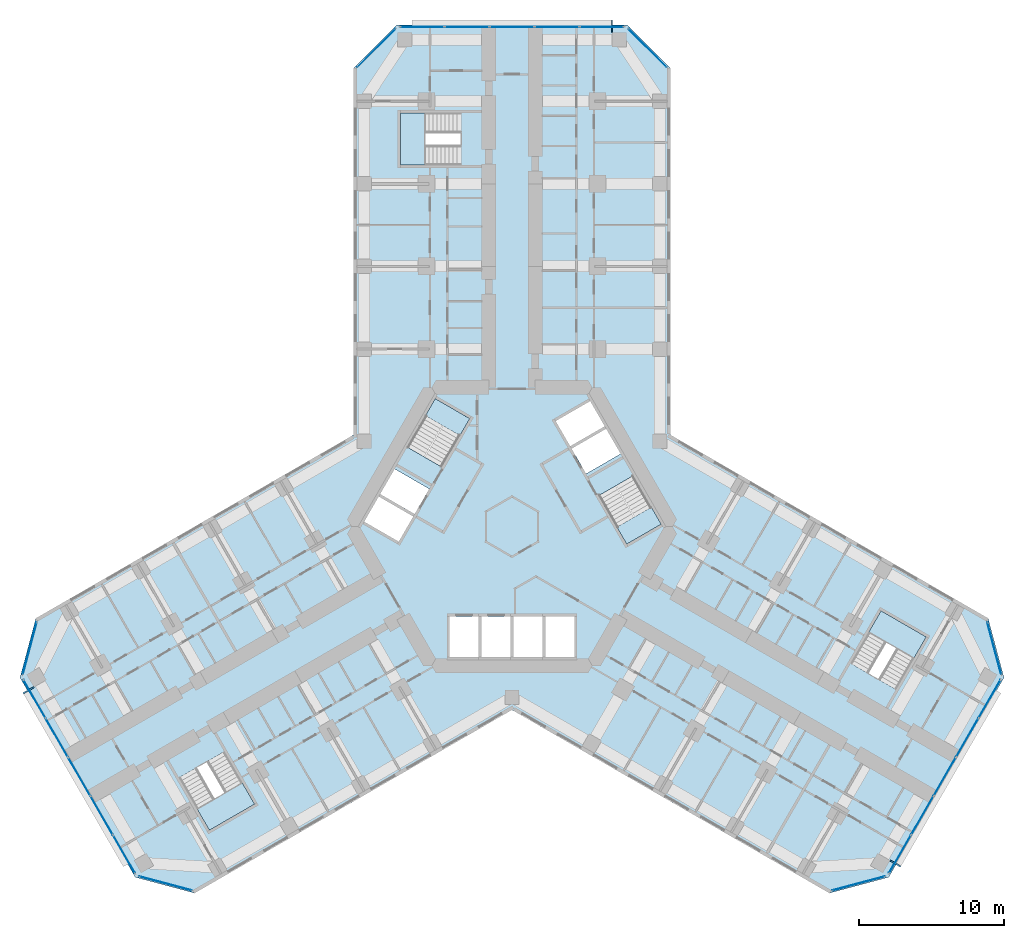
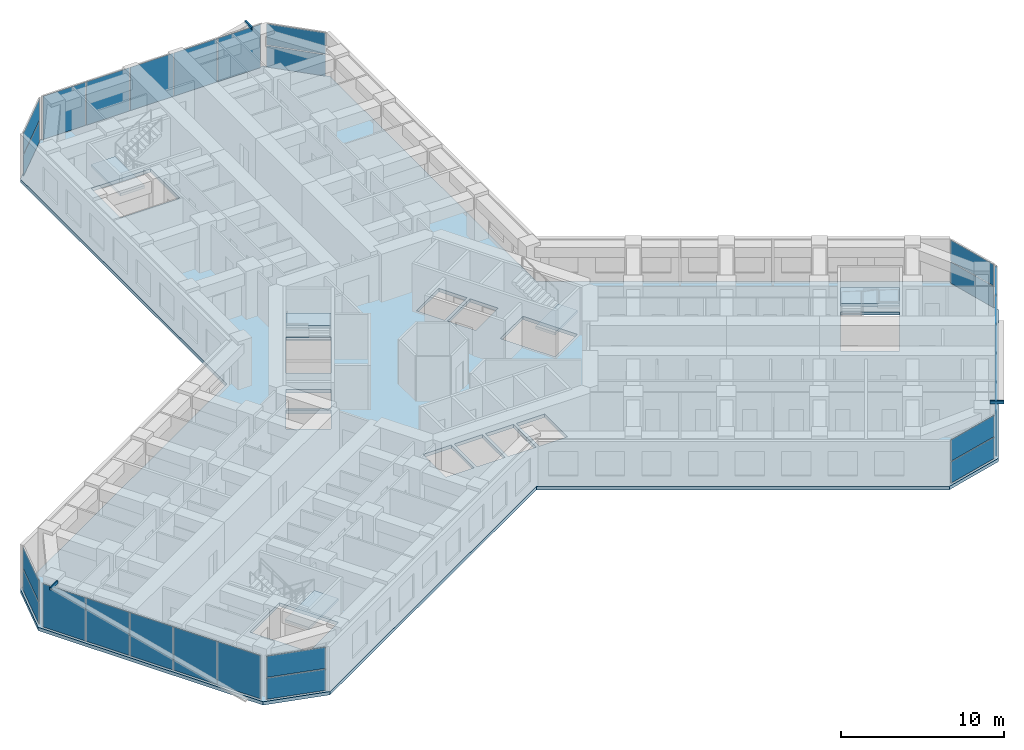
# One storey, part 9 of 21: 27 plates, 6 slabs, 3 members, 14 elements without a shape of their own.
"""IFC4 building model written with IfcOpenShell, lengths in metres."""

from ifc_helpers import new_model, si_unit, direction, frame, origin, origin_2d, place, context, subcontext, project, spatial, polyline, rectangle, hollow_rectangle, outline, extrude, material, layer, layer_set, material_profile, profile_set, type_object, element, aggregate, save


model = new_model("IFC4")

# Units and contexts
model_context = context("Model", 3, precision=1e-05, world=origin(), true_north=direction((0.0, 1.0)))
body_context = subcontext(model_context, "Body", "Model", "MODEL_VIEW")
ifc_project = project(units=[si_unit("LENGTHUNIT", "METRE"), si_unit("AREAUNIT", "SQUARE_METRE"), si_unit("VOLUMEUNIT", "CUBIC_METRE"), si_unit("PLANEANGLEUNIT", "RADIAN"), si_unit("MASSUNIT", "GRAM", prefix="KILO")], contexts=[model_context])

# Site, building, storey
site_placement = place(None, origin())
site = spatial("IfcSite", under=ifc_project, at=site_placement, CompositionType="ELEMENT")
building_placement = place(site_placement, origin())
building = spatial("IfcBuilding", under=site, at=building_placement, Name="Kosmar Iwan School Tower", CompositionType="ELEMENT")
storey_placement = place(building_placement, frame((0.0, 0.0, 64.60009765625)))
storey = spatial("IfcBuildingStorey", under=building, at=storey_placement, Name="L15", CompositionType="ELEMENT", Elevation=64.60009765625)

# Members
ifc_material_1 = material(Name="Steel S355", Category="steel")
ifc_material_profile = material_profile(ifc_material_1, hollow_rectangle(XDim=0.10009765625, YDim=0.199951171875, WallThickness=0.008056640625, at=origin_2d()), Name="RHS 200x100x8")
ifc_profile_set = profile_set([ifc_material_profile], Name="Steel S355")
member_type = type_object("IfcMemberType", Name="Fin bracket RHS 200x100", PredefinedType="USERDEFINED", material=ifc_profile_set)
member_1_placement = place(storey_placement, frame((26.08154296875, -23.025634765625, 3.474853515625), z_axis=(0.865989465428, -0.500062241894, 0.0), x_axis=(0.500062241894, 0.865989465428, 0.0)))
element("IfcMember", 1, at=member_1_placement, inside=storey, type_object=member_type, Name="Fin bracket L16", ObjectType="FIN BRACKET", PredefinedType="USERDEFINED", context=body_context, shape_type="SweptSolid", body=[
    extrude(hollow_rectangle(XDim=0.10009765625, YDim=0.199951171875, WallThickness=0.008056640625, at=origin_2d()), origin(), (0.0, 0.0, 1.0), 0.85009765625),
])
member_2_placement = place(storey_placement, frame((6.89990234375, 34.10009765625, 3.474853515625), z_axis=(0.0, 1.0, 0.0), x_axis=(-1.0, 0.0, 0.0)))
element("IfcMember", 2, at=member_2_placement, inside=storey, type_object=member_type, Name="Fin bracket L16", ObjectType="FIN BRACKET", PredefinedType="USERDEFINED", context=body_context, shape_type="SweptSolid", body=[
    extrude(hollow_rectangle(XDim=0.10009765625, YDim=0.199951171875, WallThickness=0.008056640625, at=origin_2d()), origin(), (0.0, 0.0, 1.0), 0.849853515625),
])
member_3_placement = place(storey_placement, frame((-32.9814453125, -11.074462890625, 3.474853515625), z_axis=(-0.865989465428, -0.500062241894, 0.0), x_axis=(0.500062241894, -0.865989465428, 0.0)))
element("IfcMember", 3, at=member_3_placement, inside=storey, type_object=member_type, Name="Fin bracket L16", ObjectType="FIN BRACKET", PredefinedType="USERDEFINED", context=body_context, shape_type="SweptSolid", body=[
    extrude(hollow_rectangle(XDim=0.10009765625, YDim=0.199951171875, WallThickness=0.008056640625, at=origin_2d()), origin(), (0.0, 0.0, 1.0), 0.85009765625),
])

# Curtain wall, plates
ifc_material_2 = material(Name="Dark glass in black aluminium frame", Category="aluminium")
curtain_wall_type_1 = type_object("IfcCurtainWallType", Name="Chamfer curtain wall dark glass", PredefinedType="USERDEFINED", material=ifc_material_2)
curtain_wall_1_placement = place(storey_placement, origin())
curtain_wall_1 = element("IfcCurtainWall", 4, at=curtain_wall_1_placement, inside=storey, type_object=curtain_wall_type_1, Name="Curtain wall L15-F02", ObjectType="FACETED CURTAIN WALL", PredefinedType="USERDEFINED")
ifc_material_3 = material(Name="Dark glass", Category="glass")
ifc_layer_1 = layer(ifc_material_3, 0.028076171875)
ifc_layer_set_1 = layer_set([ifc_layer_1], Name="Dark glass panel 28")
plate_type = type_object("IfcPlateType", Name="Dark glass panel 28", PredefinedType="CURTAIN_PANEL", material=ifc_layer_set_1)
plate_1_placement = place(storey_placement, frame((23.908203125, -24.61328125, 0.059814453125), z_axis=(0.0, 0.0, 1.0), x_axis=(0.965925875495, 0.258818861462, 0.0)))
plate_1 = element("IfcPlate", 5, at=plate_1_placement, type_object=plate_type, Name="CW2 panel 1.1", PredefinedType="CURTAIN_PANEL", context=body_context, shape_type="SweptSolid", body=[
    extrude(rectangle(XDim=3.718994140625, YDim=0.028076171875, at=origin_2d()), origin(), (0.0, 0.0, 1.0), 1.5849609375),
])
plate_2_placement = place(storey_placement, frame((23.908203125, -24.61328125, 1.704833984375), z_axis=(0.0, 0.0, 1.0), x_axis=(0.965925875495, 0.258818861462, 0.0)))
plate_2 = element("IfcPlate", 6, at=plate_2_placement, type_object=plate_type, Name="CW2 panel 1.2", PredefinedType="CURTAIN_PANEL", context=body_context, shape_type="SweptSolid", body=[
    extrude(rectangle(XDim=3.718994140625, YDim=0.028076171875, at=origin_2d()), origin(), (0.0, 0.0, 1.0), 1.5849609375),
])
aggregate(curtain_wall_1, [plate_1, plate_2])

ifc_material_4 = material(Name="Dark glass in black aluminium frame", Category="aluminium")
curtain_wall_type_2 = type_object("IfcCurtainWallType", Name="Tower curtain wall dark glass", PredefinedType="USERDEFINED", material=ifc_material_4)
curtain_wall_2_placement = place(storey_placement, origin())
curtain_wall_2 = element("IfcCurtainWall", 7, at=curtain_wall_2_placement, inside=storey, type_object=curtain_wall_type_2, Name="Curtain wall L15-F03", ObjectType="UNITISED CURTAIN WALL", PredefinedType="USERDEFINED")
plate_3_placement = place(storey_placement, frame((26.764404296875, -22.592529296875, 0.059814453125), z_axis=(0.0, 0.0, 1.0), x_axis=(0.499999997325, 0.866025405329, 0.0)))
plate_3 = element("IfcPlate", 8, at=plate_3_placement, type_object=plate_type, Name="CW1 panel 1.1", PredefinedType="CURTAIN_PANEL", context=body_context, shape_type="SweptSolid", body=[
    extrude(rectangle(XDim=3.00927734375, YDim=0.028076171875, at=origin_2d()), origin(), (0.0, 0.0, 1.0), 3.22998046875),
])
plate_4_placement = place(storey_placement, frame((28.306640625, -19.921630859375, 0.059814453125), z_axis=(0.0, 0.0, 1.0), x_axis=(0.499999997325, 0.866025405329, 0.0)))
plate_4 = element("IfcPlate", 9, at=plate_4_placement, type_object=plate_type, Name="CW1 panel 2.1", PredefinedType="CURTAIN_PANEL", context=body_context, shape_type="SweptSolid", body=[
    extrude(rectangle(XDim=3.039306640625, YDim=0.028076171875, at=origin_2d()), origin(), (0.0, 0.0, 1.0), 3.22998046875),
])
plate_5_placement = place(storey_placement, frame((29.856201171875, -17.237548828125, 0.059814453125), z_axis=(0.0, 0.0, 1.0), x_axis=(0.499999997325, 0.866025405329, 0.0)))
plate_5 = element("IfcPlate", 10, at=plate_5_placement, type_object=plate_type, Name="CW1 panel 3.1", PredefinedType="CURTAIN_PANEL", context=body_context, shape_type="SweptSolid", body=[
    extrude(rectangle(XDim=3.039306640625, YDim=0.028076171875, at=origin_2d()), origin(), (0.0, 0.0, 1.0), 3.22998046875),
])
plate_6_placement = place(storey_placement, frame((31.40576171875, -14.553466796875, 0.059814453125), z_axis=(0.0, 0.0, 1.0), x_axis=(0.499999997325, 0.866025405329, 0.0)))
plate_6 = element("IfcPlate", 11, at=plate_6_placement, type_object=plate_type, Name="CW1 panel 4.1", PredefinedType="CURTAIN_PANEL", context=body_context, shape_type="SweptSolid", body=[
    extrude(rectangle(XDim=3.039306640625, YDim=0.028076171875, at=origin_2d()), origin(), (0.0, 0.0, 1.0), 3.22998046875),
])
plate_7_placement = place(storey_placement, frame((32.947998046875, -11.88232421875, 0.059814453125), z_axis=(0.0, 0.0, 1.0), x_axis=(0.499999997325, 0.866025405329, 0.0)))
plate_7 = element("IfcPlate", 12, at=plate_7_placement, type_object=plate_type, Name="CW1 panel 5.1", PredefinedType="CURTAIN_PANEL", context=body_context, shape_type="SweptSolid", body=[
    extrude(rectangle(XDim=3.00927734375, YDim=0.028076171875, at=origin_2d()), origin(), (0.0, 0.0, 1.0), 3.22998046875),
])
aggregate(curtain_wall_2, [plate_3, plate_4, plate_5, plate_6, plate_7])

curtain_wall_3_placement = place(storey_placement, origin())
curtain_wall_3 = element("IfcCurtainWall", 13, at=curtain_wall_3_placement, inside=storey, type_object=curtain_wall_type_1, Name="Curtain wall L15-F04", ObjectType="FACETED CURTAIN WALL", PredefinedType="USERDEFINED")
plate_8_placement = place(storey_placement, frame((33.269775390625, -8.3984375, 0.059814453125), z_axis=(0.0, 0.0, 1.0), x_axis=(-0.258818861462, 0.965925875495, 0.0)))
plate_8 = element("IfcPlate", 14, at=plate_8_placement, type_object=plate_type, Name="CW2 panel 1.1", PredefinedType="CURTAIN_PANEL", context=body_context, shape_type="SweptSolid", body=[
    extrude(rectangle(XDim=3.718994140625, YDim=0.028076171875, at=origin_2d()), origin(), (0.0, 0.0, 1.0), 1.5849609375),
])
plate_9_placement = place(storey_placement, frame((33.269775390625, -8.3984375, 1.704833984375), z_axis=(0.0, 0.0, 1.0), x_axis=(-0.258818861462, 0.965925875495, 0.0)))
plate_9 = element("IfcPlate", 15, at=plate_9_placement, type_object=plate_type, Name="CW2 panel 1.2", PredefinedType="CURTAIN_PANEL", context=body_context, shape_type="SweptSolid", body=[
    extrude(rectangle(XDim=3.718994140625, YDim=0.028076171875, at=origin_2d()), origin(), (0.0, 0.0, 1.0), 1.5849609375),
])
aggregate(curtain_wall_3, [plate_8, plate_9])

curtain_wall_4_placement = place(storey_placement, origin())
curtain_wall_4 = element("IfcCurtainWall", 16, at=curtain_wall_4_placement, inside=storey, type_object=curtain_wall_type_1, Name="Curtain wall L15-F07", ObjectType="FACETED CURTAIN WALL", PredefinedType="USERDEFINED")
plate_10_placement = place(storey_placement, frame((9.361572265625, 33.01171875, 0.059814453125), z_axis=(0.0, 0.0, 1.0), x_axis=(-0.707106781187, 0.707106781187, 0.0)))
plate_10 = element("IfcPlate", 17, at=plate_10_placement, type_object=plate_type, Name="CW2 panel 1.1", PredefinedType="CURTAIN_PANEL", context=body_context, shape_type="SweptSolid", body=[
    extrude(rectangle(XDim=3.718994140625, YDim=0.028076171875, at=origin_2d()), origin(), (0.0, 0.0, 1.0), 1.5849609375),
])
plate_11_placement = place(storey_placement, frame((9.361572265625, 33.01171875, 1.704833984375), z_axis=(0.0, 0.0, 1.0), x_axis=(-0.707106781187, 0.707106781187, 0.0)))
plate_11 = element("IfcPlate", 18, at=plate_11_placement, type_object=plate_type, Name="CW2 panel 1.2", PredefinedType="CURTAIN_PANEL", context=body_context, shape_type="SweptSolid", body=[
    extrude(rectangle(XDim=3.718994140625, YDim=0.028076171875, at=origin_2d()), origin(), (0.0, 0.0, 1.0), 1.5849609375),
])
aggregate(curtain_wall_4, [plate_10, plate_11])

curtain_wall_5_placement = place(storey_placement, origin())
curtain_wall_5 = element("IfcCurtainWall", 19, at=curtain_wall_5_placement, inside=storey, type_object=curtain_wall_type_2, Name="Curtain wall L15-F08", ObjectType="UNITISED CURTAIN WALL", PredefinedType="USERDEFINED")
plate_12_placement = place(storey_placement, frame((6.18359375, 34.47509765625, 0.059814453125), z_axis=(0.0, 0.0, 1.0), x_axis=(-1.0, 0.0, 0.0)))
plate_12 = element("IfcPlate", 20, at=plate_12_placement, type_object=plate_type, Name="CW1 panel 1.1", PredefinedType="CURTAIN_PANEL", context=body_context, shape_type="SweptSolid", body=[
    extrude(rectangle(XDim=3.00927734375, YDim=0.028076171875, at=origin_2d()), origin(), (0.0, 0.0, 1.0), 3.22998046875),
])
plate_13_placement = place(storey_placement, frame((3.099365234375, 34.47509765625, 0.059814453125), z_axis=(0.0, 0.0, 1.0), x_axis=(-1.0, 0.0, 0.0)))
plate_13 = element("IfcPlate", 21, at=plate_13_placement, type_object=plate_type, Name="CW1 panel 2.1", PredefinedType="CURTAIN_PANEL", context=body_context, shape_type="SweptSolid", body=[
    extrude(rectangle(XDim=3.039306640625, YDim=0.028076171875, at=origin_2d()), origin(), (0.0, 0.0, 1.0), 3.22998046875),
])
plate_14_placement = place(storey_placement, frame((0.0, 34.47509765625, 0.059814453125), z_axis=(0.0, 0.0, 1.0), x_axis=(-1.0, 0.0, 0.0)))
plate_14 = element("IfcPlate", 22, at=plate_14_placement, type_object=plate_type, Name="CW1 panel 3.1", PredefinedType="CURTAIN_PANEL", context=body_context, shape_type="SweptSolid", body=[
    extrude(rectangle(XDim=3.039306640625, YDim=0.028076171875, at=origin_2d()), origin(), (0.0, 0.0, 1.0), 3.22998046875),
])
plate_15_placement = place(storey_placement, frame((-3.099365234375, 34.47509765625, 0.059814453125), z_axis=(0.0, 0.0, 1.0), x_axis=(-1.0, 0.0, 0.0)))
plate_15 = element("IfcPlate", 23, at=plate_15_placement, type_object=plate_type, Name="CW1 panel 4.1", PredefinedType="CURTAIN_PANEL", context=body_context, shape_type="SweptSolid", body=[
    extrude(rectangle(XDim=3.039306640625, YDim=0.028076171875, at=origin_2d()), origin(), (0.0, 0.0, 1.0), 3.22998046875),
])
plate_16_placement = place(storey_placement, frame((-6.18359375, 34.47509765625, 0.059814453125), z_axis=(0.0, 0.0, 1.0), x_axis=(-1.0, 0.0, 0.0)))
plate_16 = element("IfcPlate", 24, at=plate_16_placement, type_object=plate_type, Name="CW1 panel 5.1", PredefinedType="CURTAIN_PANEL", context=body_context, shape_type="SweptSolid", body=[
    extrude(rectangle(XDim=3.00927734375, YDim=0.028076171875, at=origin_2d()), origin(), (0.0, 0.0, 1.0), 3.22998046875),
])
aggregate(curtain_wall_5, [plate_12, plate_13, plate_14, plate_15, plate_16])

curtain_wall_6_placement = place(storey_placement, origin())
curtain_wall_6 = element("IfcCurtainWall", 25, at=curtain_wall_6_placement, inside=storey, type_object=curtain_wall_type_1, Name="Curtain wall L15-F09", ObjectType="FACETED CURTAIN WALL", PredefinedType="USERDEFINED")
plate_17_placement = place(storey_placement, frame((-9.361572265625, 33.01171875, 0.059814453125), z_axis=(0.0, 0.0, 1.0), x_axis=(-0.707106781187, -0.707106781187, 0.0)))
plate_17 = element("IfcPlate", 26, at=plate_17_placement, type_object=plate_type, Name="CW2 panel 1.1", PredefinedType="CURTAIN_PANEL", context=body_context, shape_type="SweptSolid", body=[
    extrude(rectangle(XDim=3.718994140625, YDim=0.028076171875, at=origin_2d()), origin(), (0.0, 0.0, 1.0), 1.5849609375),
])
plate_18_placement = place(storey_placement, frame((-9.361572265625, 33.01171875, 1.704833984375), z_axis=(0.0, 0.0, 1.0), x_axis=(-0.707106781187, -0.707106781187, 0.0)))
plate_18 = element("IfcPlate", 27, at=plate_18_placement, type_object=plate_type, Name="CW2 panel 1.2", PredefinedType="CURTAIN_PANEL", context=body_context, shape_type="SweptSolid", body=[
    extrude(rectangle(XDim=3.718994140625, YDim=0.028076171875, at=origin_2d()), origin(), (0.0, 0.0, 1.0), 1.5849609375),
])
aggregate(curtain_wall_6, [plate_17, plate_18])

curtain_wall_7_placement = place(storey_placement, origin())
curtain_wall_7 = element("IfcCurtainWall", 28, at=curtain_wall_7_placement, inside=storey, type_object=curtain_wall_type_1, Name="Curtain wall L15-F12", ObjectType="FACETED CURTAIN WALL", PredefinedType="USERDEFINED")
plate_19_placement = place(storey_placement, frame((-33.269775390625, -8.3984375, 0.059814453125), z_axis=(0.0, 0.0, 1.0), x_axis=(-0.258818861462, -0.965925875495, 0.0)))
plate_19 = element("IfcPlate", 29, at=plate_19_placement, type_object=plate_type, Name="CW2 panel 1.1", PredefinedType="CURTAIN_PANEL", context=body_context, shape_type="SweptSolid", body=[
    extrude(rectangle(XDim=3.718994140625, YDim=0.028076171875, at=origin_2d()), origin(), (0.0, 0.0, 1.0), 1.5849609375),
])
plate_20_placement = place(storey_placement, frame((-33.269775390625, -8.3984375, 1.704833984375), z_axis=(0.0, 0.0, 1.0), x_axis=(-0.258818861462, -0.965925875495, 0.0)))
plate_20 = element("IfcPlate", 30, at=plate_20_placement, type_object=plate_type, Name="CW2 panel 1.2", PredefinedType="CURTAIN_PANEL", context=body_context, shape_type="SweptSolid", body=[
    extrude(rectangle(XDim=3.718994140625, YDim=0.028076171875, at=origin_2d()), origin(), (0.0, 0.0, 1.0), 1.5849609375),
])
aggregate(curtain_wall_7, [plate_19, plate_20])

curtain_wall_8_placement = place(storey_placement, origin())
curtain_wall_8 = element("IfcCurtainWall", 31, at=curtain_wall_8_placement, inside=storey, type_object=curtain_wall_type_2, Name="Curtain wall L15-F13", ObjectType="UNITISED CURTAIN WALL", PredefinedType="USERDEFINED")
plate_21_placement = place(storey_placement, frame((-32.947998046875, -11.88232421875, 0.059814453125), z_axis=(0.0, 0.0, 1.0), x_axis=(0.499999997325, -0.866025405329, 0.0)))
plate_21 = element("IfcPlate", 32, at=plate_21_placement, type_object=plate_type, Name="CW1 panel 1.1", PredefinedType="CURTAIN_PANEL", context=body_context, shape_type="SweptSolid", body=[
    extrude(rectangle(XDim=3.00927734375, YDim=0.028076171875, at=origin_2d()), origin(), (0.0, 0.0, 1.0), 3.22998046875),
])
plate_22_placement = place(storey_placement, frame((-31.40576171875, -14.553466796875, 0.059814453125), z_axis=(0.0, 0.0, 1.0), x_axis=(0.499999997325, -0.866025405329, 0.0)))
plate_22 = element("IfcPlate", 33, at=plate_22_placement, type_object=plate_type, Name="CW1 panel 2.1", PredefinedType="CURTAIN_PANEL", context=body_context, shape_type="SweptSolid", body=[
    extrude(rectangle(XDim=3.039306640625, YDim=0.028076171875, at=origin_2d()), origin(), (0.0, 0.0, 1.0), 3.22998046875),
])
plate_23_placement = place(storey_placement, frame((-29.856201171875, -17.237548828125, 0.059814453125), z_axis=(0.0, 0.0, 1.0), x_axis=(0.499999997325, -0.866025405329, 0.0)))
plate_23 = element("IfcPlate", 34, at=plate_23_placement, type_object=plate_type, Name="CW1 panel 3.1", PredefinedType="CURTAIN_PANEL", context=body_context, shape_type="SweptSolid", body=[
    extrude(rectangle(XDim=3.039306640625, YDim=0.028076171875, at=origin_2d()), origin(), (0.0, 0.0, 1.0), 3.22998046875),
])
plate_24_placement = place(storey_placement, frame((-28.306640625, -19.921630859375, 0.059814453125), z_axis=(0.0, 0.0, 1.0), x_axis=(0.499999997325, -0.866025405329, 0.0)))
plate_24 = element("IfcPlate", 35, at=plate_24_placement, type_object=plate_type, Name="CW1 panel 4.1", PredefinedType="CURTAIN_PANEL", context=body_context, shape_type="SweptSolid", body=[
    extrude(rectangle(XDim=3.039306640625, YDim=0.028076171875, at=origin_2d()), origin(), (0.0, 0.0, 1.0), 3.22998046875),
])
plate_25_placement = place(storey_placement, frame((-26.764404296875, -22.592529296875, 0.059814453125), z_axis=(0.0, 0.0, 1.0), x_axis=(0.499999997325, -0.866025405329, 0.0)))
plate_25 = element("IfcPlate", 36, at=plate_25_placement, type_object=plate_type, Name="CW1 panel 5.1", PredefinedType="CURTAIN_PANEL", context=body_context, shape_type="SweptSolid", body=[
    extrude(rectangle(XDim=3.00927734375, YDim=0.028076171875, at=origin_2d()), origin(), (0.0, 0.0, 1.0), 3.22998046875),
])
aggregate(curtain_wall_8, [plate_21, plate_22, plate_23, plate_24, plate_25])

curtain_wall_9_placement = place(storey_placement, origin())
curtain_wall_9 = element("IfcCurtainWall", 37, at=curtain_wall_9_placement, inside=storey, type_object=curtain_wall_type_1, Name="Curtain wall L15-F14", ObjectType="FACETED CURTAIN WALL", PredefinedType="USERDEFINED")
plate_26_placement = place(storey_placement, frame((-23.908203125, -24.61328125, 0.059814453125), z_axis=(0.0, 0.0, 1.0), x_axis=(0.965925875495, -0.258818861462, 0.0)))
plate_26 = element("IfcPlate", 38, at=plate_26_placement, type_object=plate_type, Name="CW2 panel 1.1", PredefinedType="CURTAIN_PANEL", context=body_context, shape_type="SweptSolid", body=[
    extrude(rectangle(XDim=3.718994140625, YDim=0.028076171875, at=origin_2d()), origin(), (0.0, 0.0, 1.0), 1.5849609375),
])
plate_27_placement = place(storey_placement, frame((-23.908203125, -24.61328125, 1.704833984375), z_axis=(0.0, 0.0, 1.0), x_axis=(0.965925875495, -0.258818861462, 0.0)))
plate_27 = element("IfcPlate", 39, at=plate_27_placement, type_object=plate_type, Name="CW2 panel 1.2", PredefinedType="CURTAIN_PANEL", context=body_context, shape_type="SweptSolid", body=[
    extrude(rectangle(XDim=3.718994140625, YDim=0.028076171875, at=origin_2d()), origin(), (0.0, 0.0, 1.0), 1.5849609375),
])
aggregate(curtain_wall_9, [plate_26, plate_27])

# Stair, slab
ifc_material_5 = material(Name="Concrete C35/45", Category="concrete")
stair_type_1 = type_object("IfcStairType", Name="Escape stair 3600", PredefinedType="HALF_TURN_STAIR", material=ifc_material_5)
stair_1_placement = place(storey_placement, origin())
stair_1 = element("IfcStair", 40, at=stair_1_placement, inside=storey, type_object=stair_type_1, Name="Stair WS1 L15", PredefinedType="HALF_TURN_STAIR")
ifc_material_6 = material(Name="Concrete C35/45", Category="concrete")
ifc_layer_2 = layer(ifc_material_6, 0.199951171875)
ifc_layer_set_2 = layer_set([ifc_layer_2], Name="Escape stair landing 200")
slab_type_1 = type_object("IfcSlabType", Name="Escape stair landing 200", PredefinedType="LANDING", material=ifc_layer_set_2)
slab_1_placement = place(storey_placement, frame((0.0, 0.0, 1.599853515625)))
slab_1 = element("IfcSlab", 41, at=slab_1_placement, type_object=slab_type_1, Name="WS1 landing 1", PredefinedType="LANDING", context=body_context, shape_type="SweptSolid", body=[
    extrude(outline(polyline([(-6.0, 24.949951171875), (-6.0, 28.550048828125), (-7.699951171875, 28.550048828125), (-7.699951171875, 24.949951171875), (-6.0, 24.949951171875)])), origin(), (0.0, 0.0, 1.0), 0.199951171875),
])
aggregate(stair_1, [slab_1])

stair_2_placement = place(storey_placement, origin())
stair_2 = element("IfcStair", 42, at=stair_2_placement, inside=storey, type_object=stair_type_1, Name="Stair WS2 L15", PredefinedType="HALF_TURN_STAIR")
slab_2_placement = place(storey_placement, frame((0.0, 0.0, 1.599853515625)))
slab_2 = element("IfcSlab", 43, at=slab_2_placement, type_object=slab_type_1, Name="WS2 landing 1", PredefinedType="LANDING", context=body_context, shape_type="SweptSolid", body=[
    extrude(outline(polyline([(-18.607421875, -17.671142578125), (-21.72509765625, -19.47119140625), (-20.875, -20.943359375), (-17.75732421875, -19.143310546875), (-18.607421875, -17.671142578125)])), origin(), (0.0, 0.0, 1.0), 0.199951171875),
])
aggregate(stair_2, [slab_2])

stair_3_placement = place(storey_placement, origin())
stair_3 = element("IfcStair", 44, at=stair_3_placement, inside=storey, type_object=stair_type_1, Name="Stair WS3 L15", PredefinedType="HALF_TURN_STAIR")
slab_3_placement = place(storey_placement, frame((0.0, 0.0, 1.599853515625)))
slab_3 = element("IfcSlab", 45, at=slab_3_placement, type_object=slab_type_1, Name="WS3 landing 1", PredefinedType="LANDING", context=body_context, shape_type="SweptSolid", body=[
    extrude(outline(polyline([(24.607421875, -7.27880859375), (27.72509765625, -9.078857421875), (28.574951171875, -7.606689453125), (25.457275390625, -5.806640625), (24.607421875, -7.27880859375)])), origin(), (0.0, 0.0, 1.0), 0.199951171875),
])
aggregate(stair_3, [slab_3])

# Slab
ifc_material_7 = material(Name="Concrete C35/45", Category="concrete")
ifc_layer_3 = layer(ifc_material_7, 0.25)
ifc_layer_set_3 = layer_set([ifc_layer_3], Name="Floor slab 250")
slab_type_2 = type_object("IfcSlabType", Name="Floor slab 250", PredefinedType="FLOOR", material=ifc_layer_set_3)
slab_4_placement = place(storey_placement, frame((0.0, 0.0, -0.25)))
element("IfcSlab", 46, at=slab_4_placement, inside=storey, type_object=slab_type_2, Name="L15 floor slab", PredefinedType="FLOOR", context=body_context, shape_type="SweptSolid", body=[
    extrude(outline(polyline([(-21.891357421875, -25.282958984375), (0.0, -12.64404296875), (21.891357421875, -25.282958984375), (25.989501953125, -24.184814453125), (33.939453125, -10.4150390625), (32.84130859375, -6.317138671875), (10.949951171875, 6.322021484375), (10.949951171875, 31.60009765625), (7.949951171875, 34.60009765625), (-7.949951171875, 34.60009765625), (-10.949951171875, 31.60009765625), (-10.949951171875, 6.322021484375), (-32.84130859375, -6.317138671875), (-33.939453125, -10.4150390625), (-25.989501953125, -24.184814453125), (-21.891357421875, -25.282958984375)]), holes=[polyline([(7.91259765625, -1.205078125), (10.294189453125, 0.169921875), (8.3642578125, 3.5126953125), (5.982666015625, 2.1376953125), (7.91259765625, -1.205078125)]), polyline([(-2.91259765625, 7.455078125), (-5.294189453125, 8.830078125), (-7.22412109375, 5.4873046875), (-4.8427734375, 4.1123046875), (-2.91259765625, 7.455078125)]), polyline([(-5.712646484375, 2.60546875), (-8.09423828125, 3.98046875), (-9.09423828125, 2.248291015625), (-6.712646484375, 0.873291015625), (-5.712646484375, 2.60546875)]), polyline([(-6.812744140625, 0.7001953125), (-9.1943359375, 2.0751953125), (-10.1943359375, 0.343017578125), (-7.812744140625, -1.031982421875), (-6.812744140625, 0.7001953125)]), polyline([(5.112548828125, 3.64453125), (7.494140625, 5.01953125), (6.494140625, 6.751708984375), (4.112548828125, 5.376708984375), (5.112548828125, 3.64453125)]), polyline([(4.0126953125, 5.5498046875), (6.394287109375, 6.9248046875), (5.394287109375, 8.656982421875), (3.0126953125, 7.281982421875), (4.0126953125, 5.5498046875)]), polyline([(-4.300048828125, -6.199951171875), (-4.300048828125, -9.0), (-2.300048828125, -9.0), (-2.300048828125, -6.199951171875), (-4.300048828125, -6.199951171875)]), polyline([(-2.10009765625, -6.199951171875), (-2.10009765625, -9.0), (-0.10009765625, -9.0), (-0.10009765625, -6.199951171875), (-2.10009765625, -6.199951171875)]), polyline([(0.10009765625, -6.199951171875), (0.10009765625, -9.0), (2.10009765625, -9.0), (2.10009765625, -6.199951171875), (0.10009765625, -6.199951171875)]), polyline([(2.300048828125, -6.199951171875), (2.300048828125, -9.0), (4.300048828125, -9.0), (4.300048828125, -6.199951171875), (2.300048828125, -6.199951171875)]), polyline([(-3.52001953125, 24.949951171875), (-3.52001953125, 28.550048828125), (-7.699951171875, 28.550048828125), (-7.699951171875, 24.949951171875), (-3.52001953125, 24.949951171875)]), polyline([(-19.847412109375, -15.5234375), (-22.965087890625, -17.323486328125), (-20.875, -20.943359375), (-17.75732421875, -19.143310546875), (-19.847412109375, -15.5234375)]), polyline([(23.367431640625, -9.426513671875), (26.485107421875, -11.2265625), (28.574951171875, -7.606689453125), (25.457275390625, -5.806640625), (23.367431640625, -9.426513671875)])]), origin(), (0.0, 0.0, 1.0), 0.25),
])

# Stair, slab
ifc_material_8 = material(Name="Concrete C35/45", Category="concrete")
stair_type_2 = type_object("IfcStairType", Name="Core stair 2750", PredefinedType="HALF_TURN_STAIR", material=ifc_material_8)
stair_4_placement = place(storey_placement, origin())
stair_4 = element("IfcStair", 47, at=stair_4_placement, inside=storey, type_object=stair_type_2, Name="Stair ST2 L15", PredefinedType="HALF_TURN_STAIR")
ifc_material_9 = material(Name="Concrete C35/45", Category="concrete")
ifc_layer_4 = layer(ifc_material_9, 0.199951171875)
ifc_layer_set_4 = layer_set([ifc_layer_4], Name="Stair landing 200")
slab_type_3 = type_object("IfcSlabType", Name="Stair landing 200", PredefinedType="LANDING", material=ifc_layer_set_4)
slab_5_placement = place(storey_placement, frame((0.0, 0.0, 1.599853515625)))
slab_5 = element("IfcSlab", 48, at=slab_5_placement, type_object=slab_type_3, Name="ST2 landing 1", PredefinedType="LANDING", context=body_context, shape_type="SweptSolid", body=[
    extrude(outline(polyline([(-2.91259765625, 7.455078125), (-5.294189453125, 8.830078125), (-5.97412109375, 7.65234375), (-3.5927734375, 6.27734375), (-2.91259765625, 7.455078125)])), origin(), (0.0, 0.0, 1.0), 0.199951171875),
])
aggregate(stair_4, [slab_5])

stair_5_placement = place(storey_placement, origin())
stair_5 = element("IfcStair", 49, at=stair_5_placement, inside=storey, type_object=stair_type_2, Name="Stair ST1 L15", PredefinedType="HALF_TURN_STAIR")
slab_6_placement = place(storey_placement, frame((0.0, 0.0, 1.599853515625)))
slab_6 = element("IfcSlab", 50, at=slab_6_placement, type_object=slab_type_3, Name="ST1 landing 1", PredefinedType="LANDING", context=body_context, shape_type="SweptSolid", body=[
    extrude(outline(polyline([(7.91259765625, -1.205078125), (10.294189453125, 0.169921875), (9.6142578125, 1.34765625), (7.232666015625, -0.02734375), (7.91259765625, -1.205078125)])), origin(), (0.0, 0.0, 1.0), 0.199951171875),
])
aggregate(stair_5, [slab_6])

save(model, "model.ifc")
